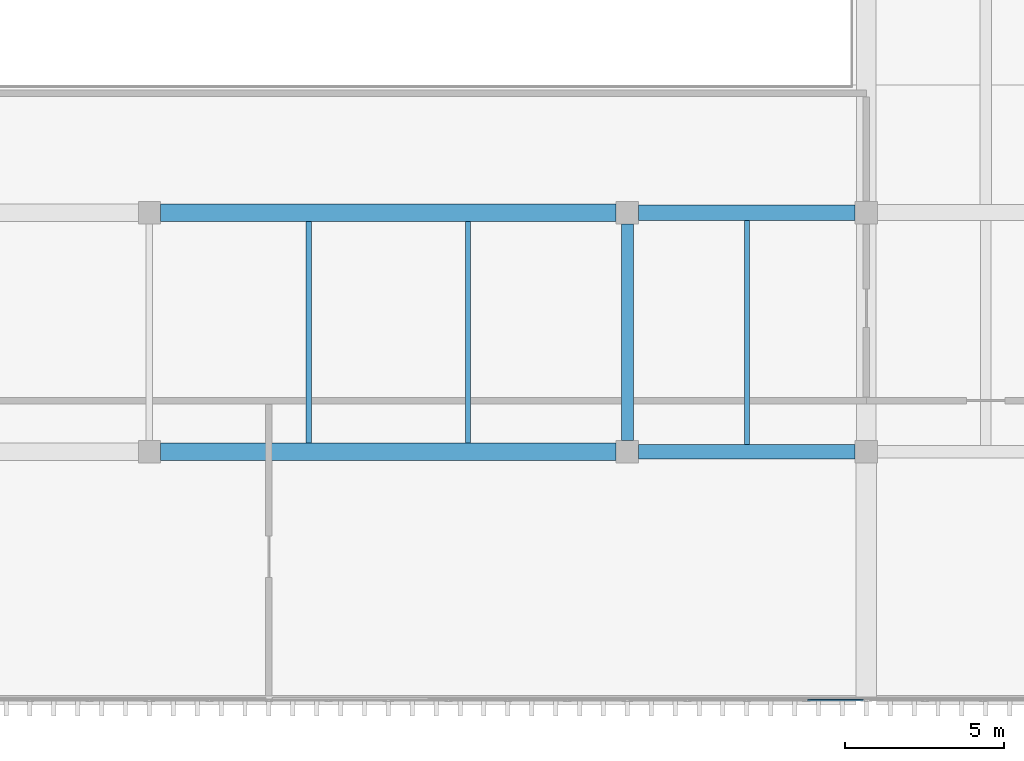
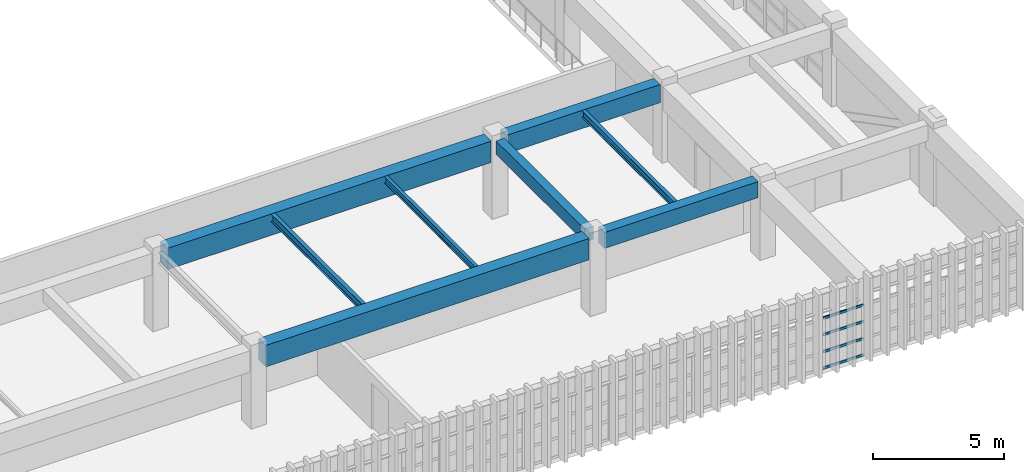
# One storey, part 30 of 82: 8 beams, 4 members, 1 element without a shape of its own.
"""IFC4 building model written with IfcOpenShell, lengths in metres."""

from ifc_helpers import new_model, si_unit, direction, frame, origin, origin_2d, place, context, subcontext, project, spatial, rectangle, hollow_rectangle, i_section, extrude, material, material_profile, profile_set, type_object, element, aggregate, save


model = new_model("IFC4")

# Units and contexts
model_context = context("Model", 3, precision=1e-05, world=origin(), true_north=direction((0.0, 1.0)))
body_context = subcontext(model_context, "Body", "Model", "MODEL_VIEW")
ifc_project = project(units=[si_unit("LENGTHUNIT", "METRE"), si_unit("AREAUNIT", "SQUARE_METRE"), si_unit("VOLUMEUNIT", "CUBIC_METRE"), si_unit("PLANEANGLEUNIT", "RADIAN"), si_unit("MASSUNIT", "GRAM", prefix="KILO")], contexts=[model_context])

# Site, building, storey
site_placement = place(None, origin())
site = spatial("IfcSite", under=ifc_project, at=site_placement, CompositionType="ELEMENT")
building_placement = place(site_placement, origin())
building = spatial("IfcBuilding", under=site, at=building_placement, Name="Qasida Concert Hall", CompositionType="ELEMENT")
storey_placement = place(building_placement, frame((0.0, 0.0, 17.10009765625)))
storey = spatial("IfcBuildingStorey", under=building, at=storey_placement, Name="L04", CompositionType="ELEMENT", Elevation=17.10009765625)

# Beams
ifc_material_1 = material(Name="Concrete C40/50", Category="concrete")
ifc_material_profile_1 = material_profile(ifc_material_1, rectangle(XDim=0.3798828125, YDim=0.6201171875, at=origin_2d()), Name="RC 380x620")
ifc_profile_set_1 = profile_set([ifc_material_profile_1], Name="Concrete C40/50")
beam_type_1 = type_object("IfcBeamType", Name="BM-B10", PredefinedType="BEAM", material=ifc_profile_set_1)
beam_1_placement = place(storey_placement, frame((90.0, 22.85009765625, 3.309814453125), z_axis=(0.0, 1.0, 0.0), x_axis=(-1.0, 0.0, 0.0)))
element("IfcBeam", 1, at=beam_1_placement, inside=storey, type_object=beam_type_1, Name="L04 girder 1855", PredefinedType="BEAM", context=body_context, shape_type="SweptSolid", body=[
    extrude(rectangle(XDim=0.3798828125, YDim=0.6201171875, at=origin_2d()), origin(), (0.0, 0.0, 1.0), 6.7998046875),
])
ifc_material_profile_2 = material_profile(ifc_material_1, rectangle(XDim=0.550048828125, YDim=1.0, at=origin_2d()), Name="RC 550x1000")
ifc_profile_set_2 = profile_set([ifc_material_profile_2], Name="Concrete C40/50")
beam_type_2 = type_object("IfcBeamType", Name="BM-G3", PredefinedType="USERDEFINED", material=ifc_profile_set_2)
for number, where, z_axis, x_axis, name in (
    (2, (75.35009765625, 22.5, 3.119873046875), (1.0, 0.0, 0.0), (0.0, 1.0, 0.0), "Primary girder 1807"),
    (3, (75.35009765625, 30.0, 3.119873046875), (1.0, 0.0, 0.0), (0.0, 1.0, 0.0), "Primary girder 1812"),
):
    element("IfcBeam", number, at=place(storey_placement, frame(where, z_axis=z_axis, x_axis=x_axis)), inside=storey, type_object=beam_type_2, Name=name, ObjectType="GIRDER", PredefinedType="USERDEFINED", context=body_context, shape_type="SweptSolid", body=[
        extrude(rectangle(XDim=0.550048828125, YDim=1.0, at=origin_2d()), origin(), (0.0, 0.0, 1.0), 14.2998046875),
    ])
ifc_material_profile_3 = material_profile(ifc_material_1, rectangle(XDim=0.47998046875, YDim=0.85009765625, at=origin_2d()), Name="RC 480x850")
ifc_profile_set_3 = profile_set([ifc_material_profile_3], Name="Concrete C40/50")
beam_type_3 = type_object("IfcBeamType", Name="BM-G6", PredefinedType="USERDEFINED", material=ifc_profile_set_3)
beam_2_placement = place(storey_placement, frame((90.35009765625, 30.0, 3.19482421875), z_axis=(1.0, 0.0, 0.0), x_axis=(0.0, 1.0, 0.0)))
element("IfcBeam", 4, at=beam_2_placement, inside=storey, type_object=beam_type_3, Name="Primary girder 1813", ObjectType="GIRDER", PredefinedType="USERDEFINED", context=body_context, shape_type="SweptSolid", body=[
    extrude(rectangle(XDim=0.47998046875, YDim=0.85009765625, at=origin_2d()), origin(), (0.0, 0.0, 1.0), 6.7998046875),
])
ifc_material_2 = material(Name="Steel S355J2", Category="steel")
ifc_material_profile_4 = material_profile(ifc_material_2, i_section(OverallWidth=0.169921875, OverallDepth=0.360107421875, WebThickness=0.008056640625, FlangeThickness=0.0126953125, FilletRadius=0.01806640625, at=origin_2d()), Name="IPE 360")
ifc_profile_set_4 = profile_set([ifc_material_profile_4], Name="Steel S355J2")
beam_type_4 = type_object("IfcBeamType", Name="BM-J2", PredefinedType="JOIST", material=ifc_profile_set_4)
beam_3_placement = place(storey_placement, frame((80.0, 22.77490234375, 3.43994140625), z_axis=(0.0, 1.0, 0.0), x_axis=(-1.0, 0.0, 0.0)))
element("IfcBeam", 5, at=beam_3_placement, inside=storey, type_object=beam_type_4, Name="L04 secondary joist 1881", PredefinedType="JOIST", context=body_context, shape_type="SweptSolid", body=[
    extrude(i_section(OverallWidth=0.169921875, OverallDepth=0.360107421875, WebThickness=0.008056640625, FlangeThickness=0.0126953125, FilletRadius=0.01806640625, at=origin_2d()), origin(), (0.0, 0.0, 1.0), 6.9501953125),
])
ifc_material_profile_5 = material_profile(ifc_material_2, i_section(OverallWidth=0.14990234375, OverallDepth=0.300048828125, WebThickness=0.007080078125, FlangeThickness=0.0107421875, FilletRadius=0.014892578125, at=origin_2d()), Name="IPE 300")
ifc_profile_set_5 = profile_set([ifc_material_profile_5], Name="Steel S355J2")
beam_type_5 = type_object("IfcBeamType", Name="BM-J4", PredefinedType="JOIST", material=ifc_profile_set_5)
beam_4_placement = place(storey_placement, frame((85.0, 22.77490234375, 3.469970703125), z_axis=(0.0, 1.0, 0.0), x_axis=(-1.0, 0.0, 0.0)))
element("IfcBeam", 6, at=beam_4_placement, inside=storey, type_object=beam_type_5, Name="L04 secondary joist 1882", PredefinedType="JOIST", context=body_context, shape_type="SweptSolid", body=[
    extrude(i_section(OverallWidth=0.14990234375, OverallDepth=0.300048828125, WebThickness=0.007080078125, FlangeThickness=0.0107421875, FilletRadius=0.014892578125, at=origin_2d()), origin(), (0.0, 0.0, 1.0), 6.9501953125),
])
ifc_material_profile_6 = material_profile(ifc_material_2, i_section(OverallWidth=0.159912109375, OverallDepth=0.330078125, WebThickness=0.007568359375, FlangeThickness=0.011474609375, FilletRadius=0.01806640625, at=origin_2d()), Name="IPE 330")
ifc_profile_set_6 = profile_set([ifc_material_profile_6], Name="Steel S355J2")
beam_type_6 = type_object("IfcBeamType", Name="BM-J5", PredefinedType="JOIST", material=ifc_profile_set_6)
beam_5_placement = place(storey_placement, frame((93.75, 22.72509765625, 3.454833984375), z_axis=(0.0, 1.0, 0.0), x_axis=(-1.0, 0.0, 0.0)))
element("IfcBeam", 7, at=beam_5_placement, inside=storey, type_object=beam_type_6, Name="L04 secondary joist 1884", PredefinedType="JOIST", context=body_context, shape_type="SweptSolid", body=[
    extrude(i_section(OverallWidth=0.159912109375, OverallDepth=0.330078125, WebThickness=0.007568359375, FlangeThickness=0.011474609375, FilletRadius=0.01806640625, at=origin_2d()), origin(), (0.0, 0.0, 1.0), 7.034912109375),
])
ifc_material_profile_7 = material_profile(ifc_material_1, rectangle(XDim=0.449951171875, YDim=0.75, at=origin_2d()), Name="RC 450x750")
ifc_profile_set_7 = profile_set([ifc_material_profile_7], Name="Concrete C40/50")
beam_type_7 = type_object("IfcBeamType", Name="BM-SP4", PredefinedType="SPANDREL", material=ifc_profile_set_7)
beam_6_placement = place(storey_placement, frame((90.35009765625, 22.5, 3.244873046875), z_axis=(1.0, 0.0, 0.0), x_axis=(0.0, 1.0, 0.0)))
element("IfcBeam", 8, at=beam_6_placement, inside=storey, type_object=beam_type_7, Name="Primary girder 1808", PredefinedType="SPANDREL", context=body_context, shape_type="SweptSolid", body=[
    extrude(rectangle(XDim=0.449951171875, YDim=0.75, at=origin_2d()), origin(), (0.0, 0.0, 1.0), 6.7998046875),
])

# Curtain wall, members
ifc_material_3 = material(Name="Architectural bronze-anodized aluminium and low-E glass", Category="aluminium")
curtain_wall_type = type_object("IfcCurtainWallType", Name="CW-10", PredefinedType="NOTDEFINED", material=ifc_material_3)
curtain_wall_placement = place(storey_placement, origin())
curtain_wall = element("IfcCurtainWall", 9, at=curtain_wall_placement, inside=storey, type_object=curtain_wall_type, Name="L04 curtain wall CW-10 0027", PredefinedType="NOTDEFINED")
ifc_material_4 = material(Name="Architectural bronze-anodized aluminium EN AW-6063", Category="aluminium")
ifc_material_profile_8 = material_profile(ifc_material_4, hollow_rectangle(XDim=0.06005859375, YDim=0.1201171875, WallThickness=0.00390625, InnerFilletRadius=0.00390625, OuterFilletRadius=0.008056640625, at=origin_2d()), Name="CWT 120x60x4")
ifc_profile_set_8 = profile_set([ifc_material_profile_8], Name="Architectural bronze-anodized aluminium EN AW-6063")
member_type = type_object("IfcMemberType", Name="MB-CWT-2", PredefinedType="USERDEFINED", material=ifc_profile_set_8)
member_1_placement = place(storey_placement, frame((95.64990234375, 14.699951171875, 0.02978515625), z_axis=(1.0, 0.0, 0.0), x_axis=(0.0, 1.0, 0.0)))
member_1 = element("IfcMember", 10, at=member_1_placement, type_object=member_type, Name="CW-10 transom 4.1", ObjectType="TRANSOM", PredefinedType="USERDEFINED", context=body_context, shape_type="SweptSolid", body=[
    extrude(hollow_rectangle(XDim=0.06005859375, YDim=0.1201171875, WallThickness=0.00390625, InnerFilletRadius=0.00390625, OuterFilletRadius=0.008056640625, at=origin_2d()), origin(), (0.0, 0.0, 1.0), 1.760009765625),
])
member_2_placement = place(storey_placement, frame((95.64990234375, 14.699951171875, 0.796630859375), z_axis=(1.0, 0.0, 0.0), x_axis=(0.0, 1.0, 0.0)))
member_2 = element("IfcMember", 11, at=member_2_placement, type_object=member_type, Name="CW-10 transom 4.2", ObjectType="TRANSOM", PredefinedType="USERDEFINED", context=body_context, shape_type="SweptSolid", body=[
    extrude(hollow_rectangle(XDim=0.06005859375, YDim=0.1201171875, WallThickness=0.00390625, InnerFilletRadius=0.00390625, OuterFilletRadius=0.008056640625, at=origin_2d()), origin(), (0.0, 0.0, 1.0), 1.760009765625),
])
member_3_placement = place(storey_placement, frame((95.64990234375, 14.699951171875, 1.59326171875), z_axis=(1.0, 0.0, 0.0), x_axis=(0.0, 1.0, 0.0)))
member_3 = element("IfcMember", 12, at=member_3_placement, type_object=member_type, Name="CW-10 transom 4.3", ObjectType="TRANSOM", PredefinedType="USERDEFINED", context=body_context, shape_type="SweptSolid", body=[
    extrude(hollow_rectangle(XDim=0.06005859375, YDim=0.1201171875, WallThickness=0.00390625, InnerFilletRadius=0.00390625, OuterFilletRadius=0.008056640625, at=origin_2d()), origin(), (0.0, 0.0, 1.0), 1.760009765625),
])
member_4_placement = place(storey_placement, frame((95.64990234375, 14.699951171875, 2.35986328125), z_axis=(1.0, 0.0, 0.0), x_axis=(0.0, 1.0, 0.0)))
member_4 = element("IfcMember", 13, at=member_4_placement, type_object=member_type, Name="CW-10 transom 4.4", ObjectType="TRANSOM", PredefinedType="USERDEFINED", context=body_context, shape_type="SweptSolid", body=[
    extrude(hollow_rectangle(XDim=0.06005859375, YDim=0.1201171875, WallThickness=0.00390625, InnerFilletRadius=0.00390625, OuterFilletRadius=0.008056640625, at=origin_2d()), origin(), (0.0, 0.0, 1.0), 1.760009765625),
])
aggregate(curtain_wall, [member_1, member_2, member_3, member_4])

save(model, "model.ifc")
